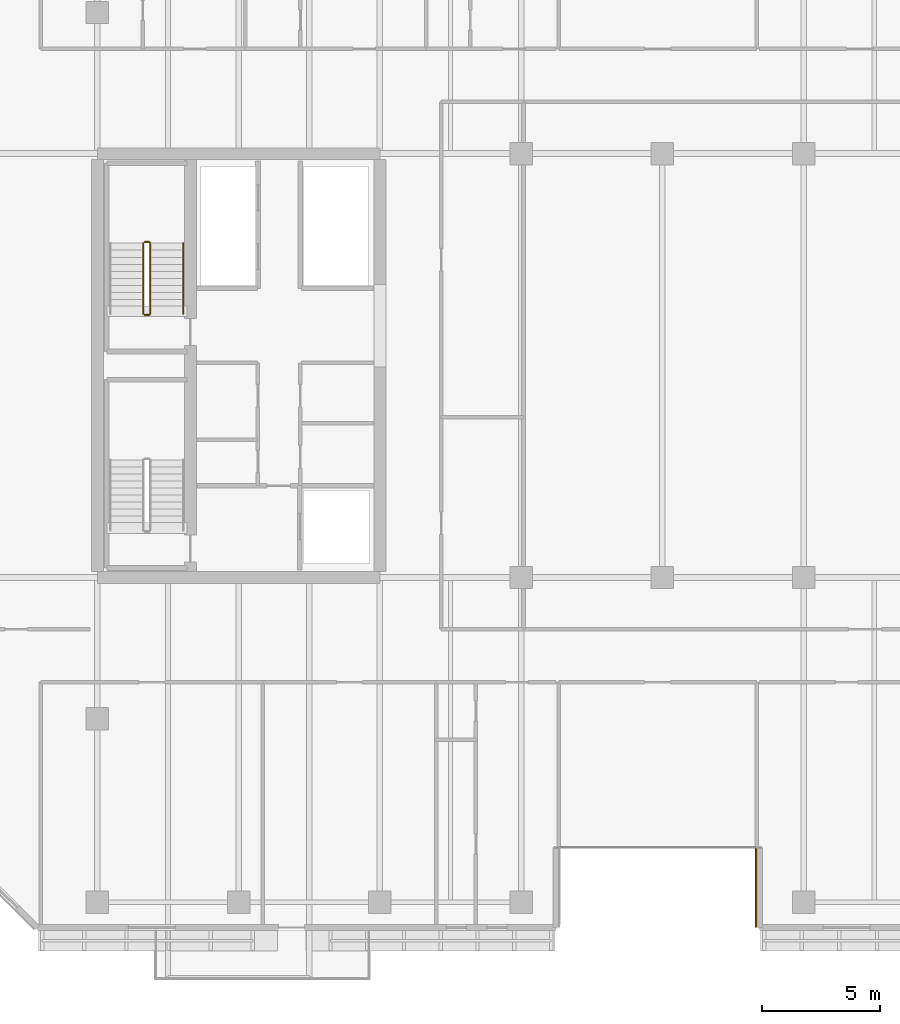
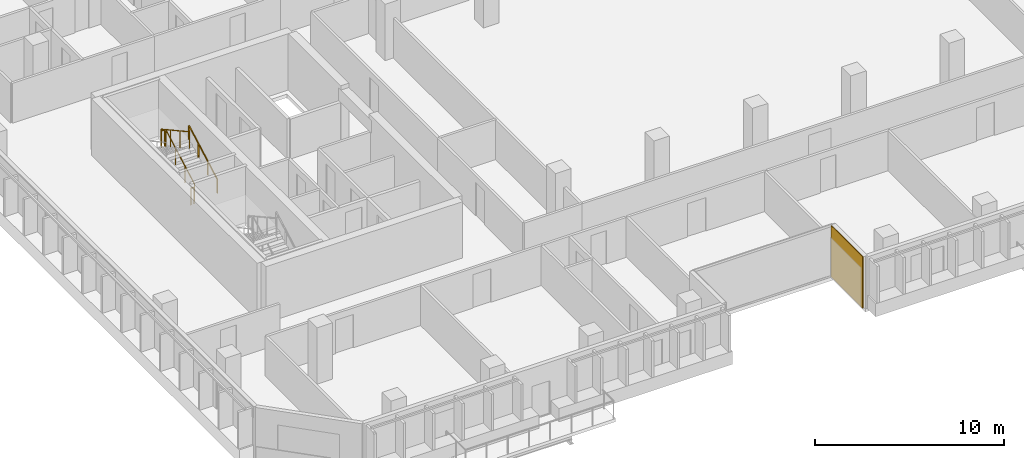
# One storey, part 20 of 23: 5 railings, 1 covering.
"""IFC4 building model written with IfcOpenShell, lengths in metres."""

from ifc_helpers import new_model, si_unit, direction, frame, origin, origin_2d, place, context, subcontext, project, spatial, rectangle, extrude, material, layer, layer_set, type_object, element, save


model = new_model("IFC4")

# Units and contexts
model_context = context("Model", 3, precision=1e-05, world=origin(), true_north=direction((0.0, 1.0)))
body_context = subcontext(model_context, "Body", "Model", "MODEL_VIEW")
ifc_project = project(units=[si_unit("LENGTHUNIT", "METRE"), si_unit("AREAUNIT", "SQUARE_METRE"), si_unit("VOLUMEUNIT", "CUBIC_METRE"), si_unit("PLANEANGLEUNIT", "RADIAN"), si_unit("MASSUNIT", "GRAM", prefix="KILO")], contexts=[model_context])

# Site, building, storey
site_placement = place(None, origin())
site = spatial("IfcSite", under=ifc_project, at=site_placement, CompositionType="ELEMENT")
building_placement = place(site_placement, origin())
building = spatial("IfcBuilding", under=site, at=building_placement, Name="Tanjung Sevakor Pilgrim Tower", CompositionType="ELEMENT")
storey_placement = place(building_placement, frame((0.0, 0.0, 119.4599609375)))
storey = spatial("IfcBuildingStorey", under=building, at=storey_placement, Name="L33", CompositionType="ELEMENT", Elevation=119.4599609375)

# Covering
ifc_material_1 = material(Name="Reconstructed Limestone Cladding", Category="masonry")
ifc_layer = layer(ifc_material_1, 0.044921875)
ifc_layer_set = layer_set([ifc_layer], Name="COV-CLAD-LIMESTONE")
covering_type = type_object("IfcCoveringType", Name="COV-CLAD-LIMESTONE", PredefinedType="CLADDING", material=ifc_layer_set)
covering_placement = place(storey_placement, frame((51.9775390625, 11.425048828125, 0.02001953125), z_axis=(0.0, 0.0, 1.0), x_axis=(0.0, -1.0, 0.0)))
element("IfcCovering", 1, at=covering_placement, inside=storey, type_object=covering_type, Name="L33 Warm Limestone Wall Cladding EW-L33-MAIN-4", PredefinedType="CLADDING", context=body_context, shape_type="SweptSolid", body=[
    extrude(rectangle(XDim=3.360107421875, YDim=0.044921875, at=origin_2d()), origin(), (0.0, 0.0, 1.0), 3.31005859375),
])

# Railings
ifc_material_2 = material(Name="Steel S355J2", Category="steel")
railing_type_1 = type_object("IfcRailingType", Name="RL-STAIR-GUARD", PredefinedType="GUARDRAIL", material=ifc_material_2)
railing_1_placement = place(storey_placement, frame((26.25, 35.800048828125, 0.1650390625)))
element("IfcRailing", 2, at=railing_1_placement, inside=storey, type_object=railing_type_1, Name="L33 TS-W2 stair guard 1", PredefinedType="GUARDRAIL", context=body_context, shape_type="SweptSolid", body=[
    extrude(rectangle(XDim=0.0479, YDim=0.0479), frame((0.0, 0.0, 1.076171875), z_axis=(0.0, 0.876227952683, 0.48189685093), x_axis=(-1.0, 0.0, 0.0)), (0.0, 0.0, 1.0), 3.423828125),
    extrude(rectangle(XDim=0.042, YDim=0.042), origin(), (0.0, 0.0, 1.0), 1.052001953125),
    extrude(rectangle(XDim=0.042, YDim=0.042), frame((0.0, 1.0, 0.550048828125)), (0.0, 0.0, 1.0), 1.052001953125),
    extrude(rectangle(XDim=0.042, YDim=0.042), frame((0.0, 2.0, 1.099853515625)), (0.0, 0.0, 1.0), 1.052001953125),
    extrude(rectangle(XDim=0.042, YDim=0.042), frame((0.0, 3.0, 1.64990234375)), (0.0, 0.0, 1.0), 1.052001953125),
])
railing_2_placement = place(storey_placement, frame((26.199951171875, 38.85009765625, 1.81494140625)))
element("IfcRailing", 3, at=railing_2_placement, inside=storey, type_object=railing_type_1, Name="L33 TS-W2 stair guard 2", PredefinedType="GUARDRAIL", context=body_context, shape_type="SweptSolid", body=[
    extrude(rectangle(XDim=0.0479, YDim=0.0479), frame((0.0, 0.0, 1.076171875), z_axis=(-1.0, 0.0, 0.0), x_axis=(0.0, -1.0, 0.0)), (0.0, 0.0, 1.0), 0.199951171875),
    extrude(rectangle(XDim=0.042, YDim=0.042), origin(), (0.0, 0.0, 1.0), 1.052001953125),
    extrude(rectangle(XDim=0.042, YDim=0.042), frame((-0.199951171875, 0.0, 0.0)), (0.0, 0.0, 1.0), 1.052001953125),
])
railing_3_placement = place(storey_placement, frame((25.949951171875, 38.800048828125, 1.97998046875)))
element("IfcRailing", 4, at=railing_3_placement, inside=storey, type_object=railing_type_1, Name="L33 TS-W2 stair guard 3", PredefinedType="GUARDRAIL", context=body_context, shape_type="SweptSolid", body=[
    extrude(rectangle(XDim=0.0479, YDim=0.0479), frame((0.0, 0.0, 1.076171875), z_axis=(0.0, -0.876197842262, 0.481951596342), x_axis=(1.0, 0.0, 0.0)), (0.0, 0.0, 1.0), 3.423828125),
    extrude(rectangle(XDim=0.042, YDim=0.042), origin(), (0.0, 0.0, 1.0), 1.052001953125),
    extrude(rectangle(XDim=0.042, YDim=0.042), frame((0.0, -1.0, 0.550048828125)), (0.0, 0.0, 1.0), 1.052001953125),
    extrude(rectangle(XDim=0.042, YDim=0.042), frame((0.0, -2.0, 1.10009765625)), (0.0, 0.0, 1.0), 1.052001953125),
    extrude(rectangle(XDim=0.042, YDim=0.042), frame((0.0, -3.0, 1.650146484375)), (0.0, 0.0, 1.0), 1.052001953125),
])
railing_4_placement = place(storey_placement, frame((26.199951171875, 35.75, 0.0)))
element("IfcRailing", 5, at=railing_4_placement, inside=storey, type_object=railing_type_1, Name="L33 TS-W2 stair guard 4", PredefinedType="GUARDRAIL", context=body_context, shape_type="SweptSolid", body=[
    extrude(rectangle(XDim=0.0479, YDim=0.0479), frame((0.0, 0.0, 1.076171875), z_axis=(-1.0, 0.0, 0.0), x_axis=(0.0, -1.0, 0.0)), (0.0, 0.0, 1.0), 0.199951171875),
    extrude(rectangle(XDim=0.042, YDim=0.042), origin(), (0.0, 0.0, 1.0), 1.052001953125),
    extrude(rectangle(XDim=0.042, YDim=0.042), frame((-0.199951171875, 0.0, 0.0)), (0.0, 0.0, 1.0), 1.052001953125),
])
ifc_material_3 = material(Name="Steel S355J2", Category="steel")
railing_type_2 = type_object("IfcRailingType", Name="RL-STAIR-HAND", PredefinedType="HANDRAIL", material=ifc_material_3)
railing_5_placement = place(storey_placement, frame((27.64990234375, 35.800048828125, 0.1650390625)))
element("IfcRailing", 6, at=railing_5_placement, inside=storey, type_object=railing_type_2, Name="L33 TS-W2 stair handrail 1", PredefinedType="HANDRAIL", context=body_context, shape_type="SweptSolid", body=[
    extrude(rectangle(XDim=0.0479, YDim=0.0479), frame((0.0, 0.0, 0.8759765625), z_axis=(0.0, 0.876227952683, 0.48189685093), x_axis=(-1.0, 0.0, 0.0)), (0.0, 0.0, 1.0), 3.423828125),
    extrude(rectangle(XDim=0.042, YDim=0.042), origin(), (0.0, 0.0, 1.0), 0.851806640625),
    extrude(rectangle(XDim=0.042, YDim=0.042), frame((0.0, 1.0, 0.550048828125)), (0.0, 0.0, 1.0), 0.851806640625),
    extrude(rectangle(XDim=0.042, YDim=0.042), frame((0.0, 2.0, 1.099853515625)), (0.0, 0.0, 1.0), 0.851806640625),
    extrude(rectangle(XDim=0.042, YDim=0.042), frame((0.0, 3.0, 1.64990234375)), (0.0, 0.0, 1.0), 0.851806640625),
])

save(model, "model.ifc")
